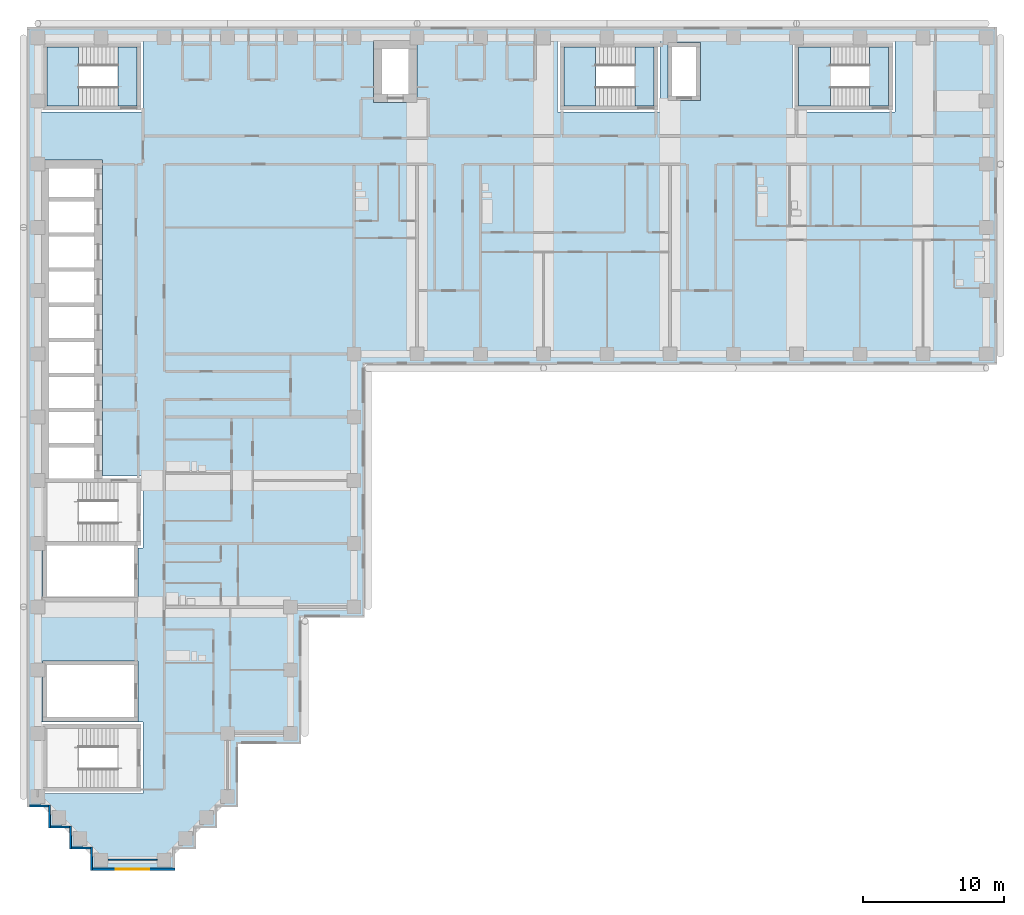
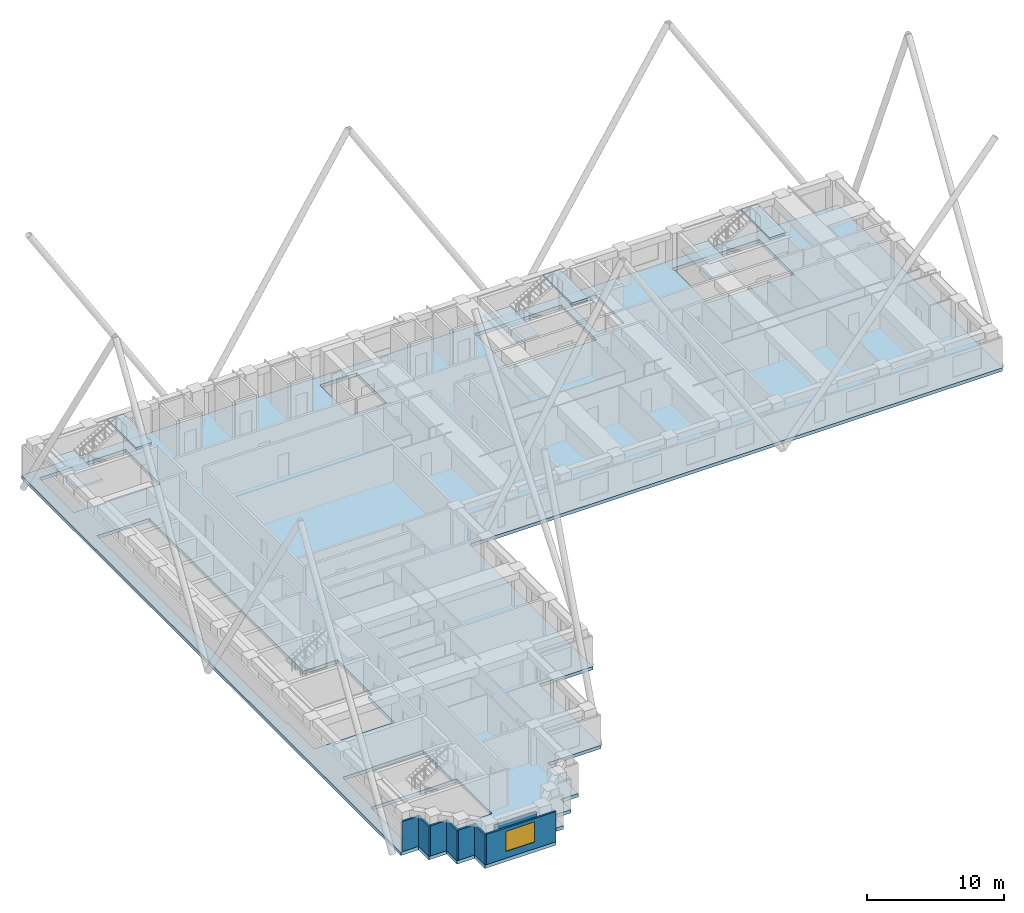
# One storey, part 2 of 13: 8 walls, 7 slabs, 1 window, 1 opening, 3 elements without a shape of their own.
"""IFC4 building model written with IfcOpenShell, lengths in metres."""

from ifc_helpers import new_model, si_unit, direction, frame, frame_2d, origin, place, context, subcontext, project, spatial, polyline, rectangle, outline, extrude, material, layer, layer_set, type_object, element, fill, aggregate, save


model = new_model("IFC4")

# Units and contexts
model_context = context("Model", 3, precision=1e-05, world=origin(), true_north=direction((0.0, 1.0)))
body_context = subcontext(model_context, "Body", "Model", "MODEL_VIEW")
ifc_project = project(units=[si_unit("LENGTHUNIT", "METRE"), si_unit("AREAUNIT", "SQUARE_METRE"), si_unit("VOLUMEUNIT", "CUBIC_METRE"), si_unit("PLANEANGLEUNIT", "RADIAN"), si_unit("MASSUNIT", "GRAM", prefix="KILO")], contexts=[model_context])

# Site, building, storey
site_placement = place(None, origin())
site = spatial("IfcSite", under=ifc_project, at=site_placement, CompositionType="ELEMENT")
building_placement = place(site_placement, origin())
building = spatial("IfcBuilding", under=site, at=building_placement, Name="Firuza Court", CompositionType="ELEMENT")
storey_placement = place(building_placement, frame((0.0, 0.0, 141.199951171875)))
storey = spatial("IfcBuildingStorey", under=building, at=storey_placement, Name="L35", CompositionType="ELEMENT", Elevation=141.199951171875)

# Slab
ifc_material_1 = material(Name="Concrete C40/50", Category="concrete")
ifc_layer_1 = layer(ifc_material_1, 0.300048828125)
ifc_layer_set_1 = layer_set([ifc_layer_1], Name="Concrete C40/50")
slab_type_1 = type_object("IfcSlabType", Name="Floor slab 300 C40/50", PredefinedType="FLOOR", material=ifc_layer_set_1)
slab_1_placement = place(storey_placement, frame((0.0, 0.0, -0.300048828125)))
element("IfcSlab", 1, at=slab_1_placement, inside=storey, type_object=slab_type_1, Name="Floor slab L35", PredefinedType="FLOOR", context=body_context, shape_type="SweptSolid", body=[
    extrude(outline(polyline([(3.75, -0.75), (3.75, 0.75), (2.25, 0.75), (2.25, 2.25), (0.75, 2.25), (0.75, 3.75), (-0.75, 3.75), (-0.75, 59.25), (68.25, 59.25), (68.25, 35.25), (23.25, 35.25), (23.25, 17.25), (18.75, 17.25), (18.75, 8.25), (14.25, 8.25), (14.25, 3.75), (12.75, 3.75), (12.75, 2.25), (11.25, 2.25), (11.25, 0.75), (9.75, 0.75), (9.75, -0.75), (3.75, -0.75)]), holes=[polyline([(0.199951171875, 29.800048828125), (0.199951171875, 29.199951171875), (0.199951171875, 27.300048828125), (0.199951171875, 26.699951171875), (0.199951171875, 22.199951171875), (0.35009765625, 22.199951171875), (0.35009765625, 18.35009765625), (7.14990234375, 18.35009765625), (7.14990234375, 22.199951171875), (7.5, 22.199951171875), (7.5, 27.300048828125), (4.60009765625, 27.300048828125), (4.60009765625, 29.199951171875), (4.60009765625, 29.800048828125), (4.60009765625, 31.699951171875), (4.60009765625, 32.300048828125), (4.60009765625, 34.199951171875), (4.60009765625, 34.800048828125), (4.60009765625, 36.699951171875), (4.60009765625, 37.300048828125), (4.60009765625, 39.199951171875), (4.60009765625, 39.800048828125), (4.60009765625, 41.699951171875), (4.60009765625, 42.300048828125), (4.60009765625, 44.199951171875), (4.60009765625, 44.800048828125), (4.60009765625, 46.699951171875), (4.60009765625, 47.300048828125), (4.60009765625, 49.800048828125), (0.199951171875, 49.800048828125), (0.199951171875, 47.300048828125), (0.199951171875, 46.699951171875), (0.199951171875, 44.800048828125), (0.199951171875, 44.199951171875), (0.199951171875, 42.300048828125), (0.199951171875, 41.699951171875), (0.199951171875, 39.800048828125), (0.199951171875, 39.199951171875), (0.199951171875, 37.300048828125), (0.199951171875, 36.699951171875), (0.199951171875, 34.800048828125), (0.199951171875, 34.199951171875), (0.199951171875, 32.300048828125), (0.199951171875, 31.699951171875), (0.199951171875, 29.800048828125)]), polyline([(7.5, 9.800048828125), (0.199951171875, 9.800048828125), (0.199951171875, 4.699951171875), (7.5, 4.699951171875), (7.5, 9.800048828125)]), polyline([(7.14990234375, 14.14990234375), (0.35009765625, 14.14990234375), (0.35009765625, 9.85009765625), (7.14990234375, 9.85009765625), (7.14990234375, 14.14990234375)]), polyline([(7.5, 58.300048828125), (0.199951171875, 58.300048828125), (0.199951171875, 53.199951171875), (7.5, 53.199951171875), (7.5, 58.300048828125)]), polyline([(44.300048828125, 58.300048828125), (37.0, 58.300048828125), (37.0, 53.199951171875), (44.300048828125, 53.199951171875), (44.300048828125, 58.300048828125)]), polyline([(61.0, 58.300048828125), (53.699951171875, 58.300048828125), (53.699951171875, 53.199951171875), (61.0, 53.199951171875), (61.0, 58.300048828125)]), polyline([(27.0, 53.89990234375), (27.0, 58.300048828125), (23.89990234375, 58.300048828125), (23.89990234375, 53.89990234375), (27.0, 53.89990234375)]), polyline([(47.14990234375, 54.050048828125), (47.14990234375, 58.14990234375), (44.85009765625, 58.14990234375), (44.85009765625, 54.050048828125), (47.14990234375, 54.050048828125)])]), origin(), (0.0, 0.0, 1.0), 0.300048828125),
])

# Stair, slabs
ifc_material_2 = material(Name="Concrete C40/50 precast", Category="concrete")
stair_type = type_object("IfcStairType", Name="Stair 1350 x 3600 2 flights", PredefinedType="HALF_TURN_STAIR", material=ifc_material_2)
stair_1_placement = place(storey_placement, origin())
stair_1 = element("IfcStair", 2, at=stair_1_placement, inside=storey, type_object=stair_type, Name="Stair 1 L35", PredefinedType="HALF_TURN_STAIR")
ifc_material_3 = material(Name="Concrete C40/50 precast", Category="concrete")
ifc_layer_2 = layer(ifc_material_3, 0.199951171875)
ifc_layer_set_2 = layer_set([ifc_layer_2], Name="Concrete C40/50 precast")
slab_type_2 = type_object("IfcSlabType", Name="Stair landing 200", PredefinedType="LANDING", material=ifc_layer_set_2)
slab_2_placement = place(storey_placement, frame((0.0, 0.0, 1.60009765625)))
slab_2 = element("IfcSlab", 3, at=slab_2_placement, type_object=slab_type_2, Name="S1 landing 1", PredefinedType="LANDING", context=body_context, shape_type="SweptSolid", body=[
    extrude(outline(polyline([(39.699951171875, 53.64990234375), (39.699951171875, 57.85009765625), (37.449951171875, 57.85009765625), (37.449951171875, 53.64990234375), (39.699951171875, 53.64990234375)])), origin(), (0.0, 0.0, 1.0), 0.199951171875),
])
slab_3_placement = place(storey_placement, frame((0.0, 0.0, 3.400146484375)))
slab_3 = element("IfcSlab", 4, at=slab_3_placement, type_object=slab_type_2, Name="S1 landing 2", PredefinedType="LANDING", context=body_context, shape_type="SweptSolid", body=[
    extrude(outline(polyline([(43.85009765625, 53.64990234375), (43.85009765625, 57.85009765625), (42.5, 57.85009765625), (42.5, 53.64990234375), (43.85009765625, 53.64990234375)])), origin(), (0.0, 0.0, 1.0), 0.199951171875),
])
aggregate(stair_1, [slab_2, slab_3])

stair_2_placement = place(storey_placement, origin())
stair_2 = element("IfcStair", 5, at=stair_2_placement, inside=storey, type_object=stair_type, Name="Stair 3 L35", PredefinedType="HALF_TURN_STAIR")
slab_4_placement = place(storey_placement, frame((0.0, 0.0, 1.60009765625)))
slab_4 = element("IfcSlab", 6, at=slab_4_placement, type_object=slab_type_2, Name="S3 landing 1", PredefinedType="LANDING", context=body_context, shape_type="SweptSolid", body=[
    extrude(outline(polyline([(2.89990234375, 53.64990234375), (2.89990234375, 57.85009765625), (0.64990234375, 57.85009765625), (0.64990234375, 53.64990234375), (2.89990234375, 53.64990234375)])), origin(), (0.0, 0.0, 1.0), 0.199951171875),
])
slab_5_placement = place(storey_placement, frame((0.0, 0.0, 3.400146484375)))
slab_5 = element("IfcSlab", 7, at=slab_5_placement, type_object=slab_type_2, Name="S3 landing 2", PredefinedType="LANDING", context=body_context, shape_type="SweptSolid", body=[
    extrude(outline(polyline([(7.050048828125, 53.64990234375), (7.050048828125, 57.85009765625), (5.699951171875, 57.85009765625), (5.699951171875, 53.64990234375), (7.050048828125, 53.64990234375)])), origin(), (0.0, 0.0, 1.0), 0.199951171875),
])
aggregate(stair_2, [slab_4, slab_5])

stair_3_placement = place(storey_placement, origin())
stair_3 = element("IfcStair", 8, at=stair_3_placement, inside=storey, type_object=stair_type, Name="Stair 4 L35", PredefinedType="HALF_TURN_STAIR")
slab_6_placement = place(storey_placement, frame((0.0, 0.0, 1.60009765625)))
slab_6 = element("IfcSlab", 9, at=slab_6_placement, type_object=slab_type_2, Name="S4 landing 1", PredefinedType="LANDING", context=body_context, shape_type="SweptSolid", body=[
    extrude(outline(polyline([(56.39990234375, 53.64990234375), (56.39990234375, 57.85009765625), (54.14990234375, 57.85009765625), (54.14990234375, 53.64990234375), (56.39990234375, 53.64990234375)])), origin(), (0.0, 0.0, 1.0), 0.199951171875),
])
slab_7_placement = place(storey_placement, frame((0.0, 0.0, 3.400146484375)))
slab_7 = element("IfcSlab", 10, at=slab_7_placement, type_object=slab_type_2, Name="S4 landing 2", PredefinedType="LANDING", context=body_context, shape_type="SweptSolid", body=[
    extrude(outline(polyline([(60.550048828125, 53.64990234375), (60.550048828125, 57.85009765625), (59.199951171875, 57.85009765625), (59.199951171875, 53.64990234375), (60.550048828125, 53.64990234375)])), origin(), (0.0, 0.0, 1.0), 0.199951171875),
])
aggregate(stair_3, [slab_6, slab_7])

# Walls
ifc_material_4 = material(Name="Timber stud partition, plasterboard both sides", Category="wood")
ifc_layer_3 = layer(ifc_material_4, 0.10009765625)
ifc_layer_set_3 = layer_set([ifc_layer_3], Name="Timber stud partition, plasterboard both sides")
wall_type_1 = type_object("IfcWallType", Name="Partition wall 100", PredefinedType="PARTITIONING", material=ifc_layer_set_3)
wall_1_placement = place(storey_placement, frame((5.0, 0.0, 0.0), z_axis=(0.0, 0.0, 1.0), x_axis=(1.0, 0.0, 0.0)))
element("IfcWall", 11, at=wall_1_placement, inside=storey, type_object=wall_type_1, Name="Partition wall 100 L35", PredefinedType="PARTITIONING", context=body_context, shape_type="SweptSolid", body=[
    extrude(rectangle(XDim=3.5, YDim=0.10009765625, at=frame_2d((1.75, 0.0))), origin(), (0.0, 0.0, 1.0), 2.699951171875),
])
ifc_material_5 = material(Name="Ceramic tile", Category="ceramic")
ifc_layer_4 = layer(ifc_material_5, 0.02001953125)
ifc_material_6 = material(Name="Mineral wool insulation", Category="insulation")
ifc_layer_5 = layer(ifc_material_6, 0.050048828125)
ifc_layer_6 = layer(ifc_material_3, 0.080078125)
ifc_layer_set_4 = layer_set([ifc_layer_4, ifc_layer_5, ifc_layer_6], Name="Concrete C40/50 precast")
wall_type_2 = type_object("IfcWallType", Name="Precast cladding wall with turquoise TILE PANEL face 150", PredefinedType="STANDARD", material=ifc_layer_set_4)
wall_2_placement = place(storey_placement, frame((-0.60009765625, 3.824951171875, 0.0), z_axis=(0.0, 0.0, 1.0), x_axis=(1.0, 0.0, 0.0)))
element("IfcWall", 12, at=wall_2_placement, inside=storey, type_object=wall_type_2, Name="Facade wall L35 S", PredefinedType="STANDARD", context=body_context, shape_type="SweptSolid", body=[
    extrude(rectangle(XDim=1.35009765625, YDim=0.14990234375, at=frame_2d((0.675048828125, 0.0))), origin(), (0.0, 0.0, 1.0), 2.699951171875),
])
wall_3_placement = place(storey_placement, frame((0.824951171875, 3.89990234375, 0.0), z_axis=(0.0, 0.0, 1.0), x_axis=(0.0, -1.0, 0.0)))
element("IfcWall", 13, at=wall_3_placement, inside=storey, type_object=wall_type_2, Name="Facade wall L35 W", PredefinedType="STANDARD", context=body_context, shape_type="SweptSolid", body=[
    extrude(rectangle(XDim=1.64990234375, YDim=0.14990234375, at=frame_2d((0.824951171875, 0.0))), origin(), (0.0, 0.0, 1.0), 2.699951171875),
])
wall_4_placement = place(storey_placement, frame((0.89990234375, 2.324951171875, 0.0), z_axis=(0.0, 0.0, 1.0), x_axis=(1.0, 0.0, 0.0)))
element("IfcWall", 14, at=wall_4_placement, inside=storey, type_object=wall_type_2, Name="Facade wall L35 S", PredefinedType="STANDARD", context=body_context, shape_type="SweptSolid", body=[
    extrude(rectangle(XDim=1.35009765625, YDim=0.14990234375, at=frame_2d((0.675048828125, 0.0))), origin(), (0.0, 0.0, 1.0), 2.699951171875),
])
wall_5_placement = place(storey_placement, frame((2.324951171875, 2.39990234375, 0.0), z_axis=(0.0, 0.0, 1.0), x_axis=(0.0, -1.0, 0.0)))
element("IfcWall", 15, at=wall_5_placement, inside=storey, type_object=wall_type_2, Name="Facade wall L35 W", PredefinedType="STANDARD", context=body_context, shape_type="SweptSolid", body=[
    extrude(rectangle(XDim=1.64990234375, YDim=0.14990234375, at=frame_2d((0.824951171875, 0.0))), origin(), (0.0, 0.0, 1.0), 2.699951171875),
])
wall_6_placement = place(storey_placement, frame((2.39990234375, 0.824951171875, 0.0), z_axis=(0.0, 0.0, 1.0), x_axis=(1.0, 0.0, 0.0)))
element("IfcWall", 16, at=wall_6_placement, inside=storey, type_object=wall_type_2, Name="Facade wall L35 S", PredefinedType="STANDARD", context=body_context, shape_type="SweptSolid", body=[
    extrude(rectangle(XDim=1.35009765625, YDim=0.14990234375, at=frame_2d((0.675048828125, 0.0))), origin(), (0.0, 0.0, 1.0), 2.699951171875),
])
wall_7_placement = place(storey_placement, frame((3.824951171875, 0.89990234375, 0.0), z_axis=(0.0, 0.0, 1.0), x_axis=(0.0, -1.0, 0.0)))
element("IfcWall", 17, at=wall_7_placement, inside=storey, type_object=wall_type_2, Name="Facade wall L35 W", PredefinedType="STANDARD", context=body_context, shape_type="SweptSolid", body=[
    extrude(rectangle(XDim=1.64990234375, YDim=0.14990234375, at=frame_2d((0.824951171875, 0.0))), origin(), (0.0, 0.0, 1.0), 2.699951171875),
])

# Wall, opening, window
wall_8_placement = place(storey_placement, frame((3.89990234375, -0.675048828125, 0.0), z_axis=(0.0, 0.0, 1.0), x_axis=(1.0, 0.0, 0.0)))
wall_8 = element("IfcWall", 18, at=wall_8_placement, inside=storey, type_object=wall_type_2, Name="Facade wall L35 S", PredefinedType="STANDARD", context=body_context, shape_type="SweptSolid", body=[
    extrude(rectangle(XDim=5.85009765625, YDim=0.14990234375, at=frame_2d((2.925048828125, 0.0))), origin(), (0.0, 0.0, 1.0), 2.699951171875),
])
opening_placement = place(wall_8_placement, frame((1.64990234375, 0.0, 0.60009765625)))
opening = element("IfcOpeningElement", 19, at=opening_placement, cuts=wall_8, Name="Opening W1", PredefinedType="OPENING", context=body_context, shape_type="SweptSolid", body=[
    extrude(rectangle(XDim=2.39990234375, YDim=1.800048828125, at=frame_2d((1.199951171875, 0.89990234375))), frame((0.0, 0.0869140625, 0.0), z_axis=(0.0, -1.0, 0.0), x_axis=(1.0, 0.0, 0.0)), (0.0, 0.0, 1.0), 0.173828125),
])
ifc_material_7 = material(Name="Aluminium frame, triple clear glazing", Category="aluminium")
window_type = type_object("IfcWindowType", Name="Window W1 2400 x 1800", PartitioningType="SINGLE_PANEL", PredefinedType="WINDOW", material=ifc_material_7)
window_placement = place(opening_placement, origin())
window = element("IfcWindow", 20, at=window_placement, inside=storey, type_object=window_type, Name="Window L35", OverallHeight=1.800048828125, OverallWidth=2.39990234375, PartitioningType="SINGLE_PANEL", PredefinedType="WINDOW", context=body_context, shape_type="SweptSolid", body=[
    extrude(rectangle(XDim=2.39990234375, YDim=1.800048828125, at=frame_2d((1.199951171875, 0.89990234375))), frame((0.0, 0.030029296875, 0.0), z_axis=(0.0, -1.0, 0.0), x_axis=(1.0, 0.0, 0.0)), (0.0, 0.0, 1.0), 0.06005859375),
])
fill(opening, window)

save(model, "model.ifc")
